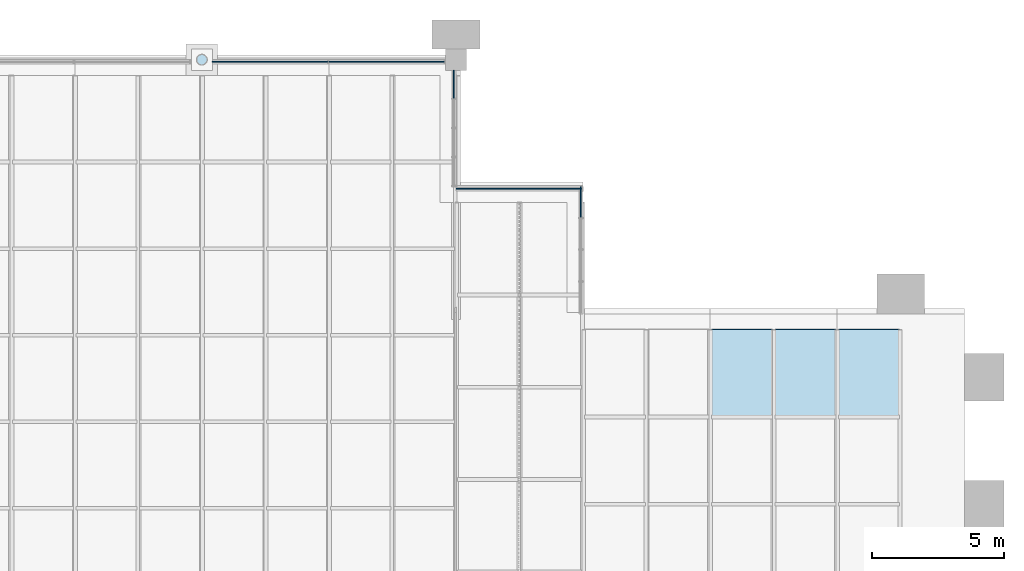
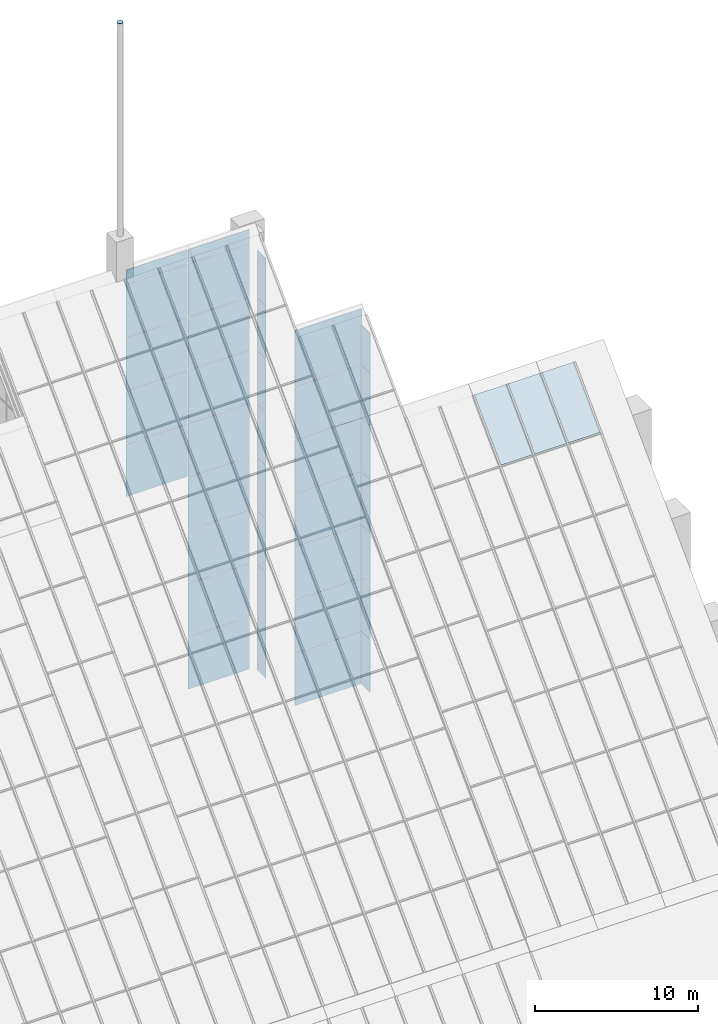
# One storey, part 24 of 25: 40 plates, 39 elements without a shape of their own.
"""IFC4 building model written with IfcOpenShell, lengths in metres."""

from ifc_helpers import new_model, si_unit, direction, frame, origin, origin_2d, place, context, subcontext, project, spatial, polyline, rectangle, outline, extrude, material, layer, layer_set, type_object, element, aggregate, save


model = new_model("IFC4")

# Units and contexts
model_context = context("Model", 3, precision=1e-05, world=origin(), true_north=direction((0.0, 1.0)))
body_context = subcontext(model_context, "Body", "Model", "MODEL_VIEW")
ifc_project = project(units=[si_unit("LENGTHUNIT", "METRE"), si_unit("AREAUNIT", "SQUARE_METRE"), si_unit("VOLUMEUNIT", "CUBIC_METRE"), si_unit("PLANEANGLEUNIT", "RADIAN"), si_unit("MASSUNIT", "GRAM", prefix="KILO")], contexts=[model_context])

# Site, building, storey
site_placement = place(None, origin())
site = spatial("IfcSite", under=ifc_project, at=site_placement, CompositionType="ELEMENT")
building_placement = place(site_placement, origin())
building = spatial("IfcBuilding", under=site, at=building_placement, Name="Baori Bourse Tower", CompositionType="ELEMENT")
storey_placement = place(building_placement, frame((0.0, 0.0, 378.300048828125)))
storey = spatial("IfcBuildingStorey", under=building, at=storey_placement, Name="Roof", CompositionType="ELEMENT", Elevation=378.300048828125)

# Curtain wall, plate
ifc_material_1 = material(Name="Pale anodised aluminium", Category="aluminium")
curtain_wall_type_1 = type_object("IfcCurtainWallType", Name="CW3 Curtain wall", PredefinedType="NOTDEFINED", material=ifc_material_1)
curtain_wall_1_placement = place(storey_placement, origin())
curtain_wall_1 = element("IfcCurtainWall", 1, at=curtain_wall_1_placement, inside=storey, type_object=curtain_wall_type_1, Name="Curtain wall CW3 Roof 20", PredefinedType="NOTDEFINED")
ifc_material_2 = material(Name="Pale anodised aluminium", Category="aluminium")
ifc_layer_1 = layer(ifc_material_2, 0.0400390625)
ifc_layer_set_1 = layer_set([ifc_layer_1], Name="CW3 Curtain wall panel")
plate_type_1 = type_object("IfcPlateType", Name="CW3 Curtain wall panel", PredefinedType="CURTAIN_PANEL", material=ifc_layer_set_1)
plate_1_placement = place(storey_placement, frame((43.1201171875, 42.625, -0.18994140625), z_axis=(0.0, 0.0, 1.0), x_axis=(0.0, 1.0, 0.0)))
plate_1 = element("IfcPlate", 2, at=plate_1_placement, type_object=plate_type_1, Name="Curtain wall CW3 louvre panel", PredefinedType="CURTAIN_PANEL", context=body_context, shape_type="SweptSolid", body=[
    extrude(rectangle(XDim=1.14990234375, YDim=0.0400390625, at=origin_2d()), origin(), (0.0, 0.0, 1.0), 3.93994140625),
])
aggregate(curtain_wall_1, [plate_1])

curtain_wall_2_placement = place(storey_placement, origin())
curtain_wall_2 = element("IfcCurtainWall", 3, at=curtain_wall_2_placement, inside=storey, type_object=curtain_wall_type_1, Name="Curtain wall CW3 Roof 21", PredefinedType="NOTDEFINED")
plate_2_placement = place(storey_placement, frame((43.1201171875, 42.625, 3.81005859375), z_axis=(0.0, 0.0, 1.0), x_axis=(0.0, 1.0, 0.0)))
plate_2 = element("IfcPlate", 4, at=plate_2_placement, type_object=plate_type_1, Name="Curtain wall CW3 louvre panel", PredefinedType="CURTAIN_PANEL", context=body_context, shape_type="SweptSolid", body=[
    extrude(rectangle(XDim=1.14990234375, YDim=0.0400390625, at=origin_2d()), origin(), (0.0, 0.0, 1.0), 3.93994140625),
])
aggregate(curtain_wall_2, [plate_2])

curtain_wall_3_placement = place(storey_placement, origin())
curtain_wall_3 = element("IfcCurtainWall", 5, at=curtain_wall_3_placement, inside=storey, type_object=curtain_wall_type_1, Name="Curtain wall CW3 Roof 22", PredefinedType="NOTDEFINED")
plate_3_placement = place(storey_placement, frame((43.1201171875, 42.625, 7.81005859375), z_axis=(0.0, 0.0, 1.0), x_axis=(0.0, 1.0, 0.0)))
plate_3 = element("IfcPlate", 6, at=plate_3_placement, type_object=plate_type_1, Name="Curtain wall CW3 louvre panel", PredefinedType="CURTAIN_PANEL", context=body_context, shape_type="SweptSolid", body=[
    extrude(rectangle(XDim=1.14990234375, YDim=0.0400390625, at=origin_2d()), origin(), (0.0, 0.0, 1.0), 3.93994140625),
])
aggregate(curtain_wall_3, [plate_3])

curtain_wall_4_placement = place(storey_placement, origin())
curtain_wall_4 = element("IfcCurtainWall", 7, at=curtain_wall_4_placement, inside=storey, type_object=curtain_wall_type_1, Name="Curtain wall CW3 Roof 23", PredefinedType="NOTDEFINED")
plate_4_placement = place(storey_placement, frame((43.1201171875, 42.625, 11.81005859375), z_axis=(0.0, 0.0, 1.0), x_axis=(0.0, 1.0, 0.0)))
plate_4 = element("IfcPlate", 8, at=plate_4_placement, type_object=plate_type_1, Name="Curtain wall CW3 louvre panel", PredefinedType="CURTAIN_PANEL", context=body_context, shape_type="SweptSolid", body=[
    extrude(rectangle(XDim=1.14990234375, YDim=0.0400390625, at=origin_2d()), origin(), (0.0, 0.0, 1.0), 3.93994140625),
])
aggregate(curtain_wall_4, [plate_4])

curtain_wall_5_placement = place(storey_placement, origin())
curtain_wall_5 = element("IfcCurtainWall", 9, at=curtain_wall_5_placement, inside=storey, type_object=curtain_wall_type_1, Name="Curtain wall CW3 Roof 24", PredefinedType="NOTDEFINED")
plate_5_placement = place(storey_placement, frame((43.1201171875, 42.625, 15.81005859375), z_axis=(0.0, 0.0, 1.0), x_axis=(0.0, 1.0, 0.0)))
plate_5 = element("IfcPlate", 10, at=plate_5_placement, type_object=plate_type_1, Name="Curtain wall CW3 louvre panel", PredefinedType="CURTAIN_PANEL", context=body_context, shape_type="SweptSolid", body=[
    extrude(rectangle(XDim=1.14990234375, YDim=0.0400390625, at=origin_2d()), origin(), (0.0, 0.0, 1.0), 3.93994140625),
])
aggregate(curtain_wall_5, [plate_5])

curtain_wall_6_placement = place(storey_placement, origin())
curtain_wall_6 = element("IfcCurtainWall", 11, at=curtain_wall_6_placement, inside=storey, type_object=curtain_wall_type_1, Name="Curtain wall CW3 Roof 25", PredefinedType="NOTDEFINED")
plate_6_placement = place(storey_placement, frame((43.1201171875, 42.625, 19.81005859375), z_axis=(0.0, 0.0, 1.0), x_axis=(0.0, 1.0, 0.0)))
plate_6 = element("IfcPlate", 12, at=plate_6_placement, type_object=plate_type_1, Name="Curtain wall CW3 louvre panel", PredefinedType="CURTAIN_PANEL", context=body_context, shape_type="SweptSolid", body=[
    extrude(rectangle(XDim=1.14990234375, YDim=0.0400390625, at=origin_2d()), origin(), (0.0, 0.0, 1.0), 3.93994140625),
])
aggregate(curtain_wall_6, [plate_6])

curtain_wall_7_placement = place(storey_placement, origin())
curtain_wall_7 = element("IfcCurtainWall", 13, at=curtain_wall_7_placement, inside=storey, type_object=curtain_wall_type_1, Name="Curtain wall CW3 Roof 26", PredefinedType="NOTDEFINED")
plate_7_placement = place(storey_placement, frame((43.1201171875, 42.625, 23.81005859375), z_axis=(0.0, 0.0, 1.0), x_axis=(0.0, 1.0, 0.0)))
plate_7 = element("IfcPlate", 14, at=plate_7_placement, type_object=plate_type_1, Name="Curtain wall CW3 louvre panel", PredefinedType="CURTAIN_PANEL", context=body_context, shape_type="SweptSolid", body=[
    extrude(rectangle(XDim=1.14990234375, YDim=0.0400390625, at=origin_2d()), origin(), (0.0, 0.0, 1.0), 2.945068359375),
])
aggregate(curtain_wall_7, [plate_7])

curtain_wall_8_placement = place(storey_placement, origin())
curtain_wall_8 = element("IfcCurtainWall", 15, at=curtain_wall_8_placement, inside=storey, type_object=curtain_wall_type_1, Name="Curtain wall CW3 Roof 27", PredefinedType="NOTDEFINED")
plate_8_placement = place(storey_placement, frame((40.77490234375, 43.1201171875, -0.18994140625), z_axis=(0.0, 0.0, 1.0), x_axis=(-1.0, 0.0, 0.0)))
plate_8 = element("IfcPlate", 16, at=plate_8_placement, type_object=plate_type_1, Name="Curtain wall CW3 louvre panel", PredefinedType="CURTAIN_PANEL", context=body_context, shape_type="SweptSolid", body=[
    extrude(rectangle(XDim=4.75, YDim=0.0400390625, at=origin_2d()), origin(), (0.0, 0.0, 1.0), 3.93994140625),
])
aggregate(curtain_wall_8, [plate_8])

curtain_wall_9_placement = place(storey_placement, origin())
curtain_wall_9 = element("IfcCurtainWall", 17, at=curtain_wall_9_placement, inside=storey, type_object=curtain_wall_type_1, Name="Curtain wall CW3 Roof 28", PredefinedType="NOTDEFINED")
plate_9_placement = place(storey_placement, frame((40.77490234375, 43.1201171875, 3.81005859375), z_axis=(0.0, 0.0, 1.0), x_axis=(-1.0, 0.0, 0.0)))
plate_9 = element("IfcPlate", 18, at=plate_9_placement, type_object=plate_type_1, Name="Curtain wall CW3 louvre panel", PredefinedType="CURTAIN_PANEL", context=body_context, shape_type="SweptSolid", body=[
    extrude(rectangle(XDim=4.75, YDim=0.0400390625, at=origin_2d()), origin(), (0.0, 0.0, 1.0), 3.93994140625),
])
aggregate(curtain_wall_9, [plate_9])

curtain_wall_10_placement = place(storey_placement, origin())
curtain_wall_10 = element("IfcCurtainWall", 19, at=curtain_wall_10_placement, inside=storey, type_object=curtain_wall_type_1, Name="Curtain wall CW3 Roof 29", PredefinedType="NOTDEFINED")
plate_10_placement = place(storey_placement, frame((40.77490234375, 43.1201171875, 7.81005859375), z_axis=(0.0, 0.0, 1.0), x_axis=(-1.0, 0.0, 0.0)))
plate_10 = element("IfcPlate", 20, at=plate_10_placement, type_object=plate_type_1, Name="Curtain wall CW3 louvre panel", PredefinedType="CURTAIN_PANEL", context=body_context, shape_type="SweptSolid", body=[
    extrude(rectangle(XDim=4.75, YDim=0.0400390625, at=origin_2d()), origin(), (0.0, 0.0, 1.0), 3.93994140625),
])
aggregate(curtain_wall_10, [plate_10])

curtain_wall_11_placement = place(storey_placement, origin())
curtain_wall_11 = element("IfcCurtainWall", 21, at=curtain_wall_11_placement, inside=storey, type_object=curtain_wall_type_1, Name="Curtain wall CW3 Roof 30", PredefinedType="NOTDEFINED")
plate_11_placement = place(storey_placement, frame((40.77490234375, 43.1201171875, 11.81005859375), z_axis=(0.0, 0.0, 1.0), x_axis=(-1.0, 0.0, 0.0)))
plate_11 = element("IfcPlate", 22, at=plate_11_placement, type_object=plate_type_1, Name="Curtain wall CW3 louvre panel", PredefinedType="CURTAIN_PANEL", context=body_context, shape_type="SweptSolid", body=[
    extrude(rectangle(XDim=4.75, YDim=0.0400390625, at=origin_2d()), origin(), (0.0, 0.0, 1.0), 3.93994140625),
])
aggregate(curtain_wall_11, [plate_11])

curtain_wall_12_placement = place(storey_placement, origin())
curtain_wall_12 = element("IfcCurtainWall", 23, at=curtain_wall_12_placement, inside=storey, type_object=curtain_wall_type_1, Name="Curtain wall CW3 Roof 31", PredefinedType="NOTDEFINED")
plate_12_placement = place(storey_placement, frame((40.77490234375, 43.1201171875, 15.81005859375), z_axis=(0.0, 0.0, 1.0), x_axis=(-1.0, 0.0, 0.0)))
plate_12 = element("IfcPlate", 24, at=plate_12_placement, type_object=plate_type_1, Name="Curtain wall CW3 louvre panel", PredefinedType="CURTAIN_PANEL", context=body_context, shape_type="SweptSolid", body=[
    extrude(rectangle(XDim=4.75, YDim=0.0400390625, at=origin_2d()), origin(), (0.0, 0.0, 1.0), 3.93994140625),
])
aggregate(curtain_wall_12, [plate_12])

curtain_wall_13_placement = place(storey_placement, origin())
curtain_wall_13 = element("IfcCurtainWall", 25, at=curtain_wall_13_placement, inside=storey, type_object=curtain_wall_type_1, Name="Curtain wall CW3 Roof 32", PredefinedType="NOTDEFINED")
plate_13_placement = place(storey_placement, frame((40.77490234375, 43.1201171875, 19.81005859375), z_axis=(0.0, 0.0, 1.0), x_axis=(-1.0, 0.0, 0.0)))
plate_13 = element("IfcPlate", 26, at=plate_13_placement, type_object=plate_type_1, Name="Curtain wall CW3 louvre panel", PredefinedType="CURTAIN_PANEL", context=body_context, shape_type="SweptSolid", body=[
    extrude(rectangle(XDim=4.75, YDim=0.0400390625, at=origin_2d()), origin(), (0.0, 0.0, 1.0), 3.93994140625),
])
aggregate(curtain_wall_13, [plate_13])

curtain_wall_14_placement = place(storey_placement, origin())
curtain_wall_14 = element("IfcCurtainWall", 27, at=curtain_wall_14_placement, inside=storey, type_object=curtain_wall_type_1, Name="Curtain wall CW3 Roof 33", PredefinedType="NOTDEFINED")
plate_14_placement = place(storey_placement, frame((40.77490234375, 43.1201171875, 23.81005859375), z_axis=(0.0, 0.0, 1.0), x_axis=(-1.0, 0.0, 0.0)))
plate_14 = element("IfcPlate", 28, at=plate_14_placement, type_object=plate_type_1, Name="Curtain wall CW3 louvre panel", PredefinedType="CURTAIN_PANEL", context=body_context, shape_type="SweptSolid", body=[
    extrude(rectangle(XDim=4.75, YDim=0.0400390625, at=origin_2d()), origin(), (0.0, 0.0, 1.0), 4.159912109375),
])
aggregate(curtain_wall_14, [plate_14])

curtain_wall_15_placement = place(storey_placement, origin())
curtain_wall_15 = element("IfcCurtainWall", 29, at=curtain_wall_15_placement, inside=storey, type_object=curtain_wall_type_1, Name="Curtain wall CW3 Roof 57", PredefinedType="NOTDEFINED")
plate_15_placement = place(storey_placement, frame((38.320068359375, 47.074951171875, -0.18994140625), z_axis=(0.0, 0.0, 1.0), x_axis=(0.0, 1.0, 0.0)))
plate_15 = element("IfcPlate", 30, at=plate_15_placement, type_object=plate_type_1, Name="Curtain wall CW3 louvre panel", PredefinedType="CURTAIN_PANEL", context=body_context, shape_type="SweptSolid", body=[
    extrude(rectangle(XDim=1.050048828125, YDim=0.0400390625, at=origin_2d()), origin(), (0.0, 0.0, 1.0), 3.93994140625),
])
aggregate(curtain_wall_15, [plate_15])

curtain_wall_16_placement = place(storey_placement, origin())
curtain_wall_16 = element("IfcCurtainWall", 31, at=curtain_wall_16_placement, inside=storey, type_object=curtain_wall_type_1, Name="Curtain wall CW3 Roof 58", PredefinedType="NOTDEFINED")
plate_16_placement = place(storey_placement, frame((38.320068359375, 47.074951171875, 3.81005859375), z_axis=(0.0, 0.0, 1.0), x_axis=(0.0, 1.0, 0.0)))
plate_16 = element("IfcPlate", 32, at=plate_16_placement, type_object=plate_type_1, Name="Curtain wall CW3 louvre panel", PredefinedType="CURTAIN_PANEL", context=body_context, shape_type="SweptSolid", body=[
    extrude(rectangle(XDim=1.050048828125, YDim=0.0400390625, at=origin_2d()), origin(), (0.0, 0.0, 1.0), 3.93994140625),
])
aggregate(curtain_wall_16, [plate_16])

curtain_wall_17_placement = place(storey_placement, origin())
curtain_wall_17 = element("IfcCurtainWall", 33, at=curtain_wall_17_placement, inside=storey, type_object=curtain_wall_type_1, Name="Curtain wall CW3 Roof 59", PredefinedType="NOTDEFINED")
plate_17_placement = place(storey_placement, frame((38.320068359375, 47.074951171875, 7.81005859375), z_axis=(0.0, 0.0, 1.0), x_axis=(0.0, 1.0, 0.0)))
plate_17 = element("IfcPlate", 34, at=plate_17_placement, type_object=plate_type_1, Name="Curtain wall CW3 louvre panel", PredefinedType="CURTAIN_PANEL", context=body_context, shape_type="SweptSolid", body=[
    extrude(rectangle(XDim=1.050048828125, YDim=0.0400390625, at=origin_2d()), origin(), (0.0, 0.0, 1.0), 3.93994140625),
])
aggregate(curtain_wall_17, [plate_17])

curtain_wall_18_placement = place(storey_placement, origin())
curtain_wall_18 = element("IfcCurtainWall", 35, at=curtain_wall_18_placement, inside=storey, type_object=curtain_wall_type_1, Name="Curtain wall CW3 Roof 60", PredefinedType="NOTDEFINED")
plate_18_placement = place(storey_placement, frame((38.320068359375, 47.074951171875, 11.81005859375), z_axis=(0.0, 0.0, 1.0), x_axis=(0.0, 1.0, 0.0)))
plate_18 = element("IfcPlate", 36, at=plate_18_placement, type_object=plate_type_1, Name="Curtain wall CW3 louvre panel", PredefinedType="CURTAIN_PANEL", context=body_context, shape_type="SweptSolid", body=[
    extrude(rectangle(XDim=1.050048828125, YDim=0.0400390625, at=origin_2d()), origin(), (0.0, 0.0, 1.0), 3.93994140625),
])
aggregate(curtain_wall_18, [plate_18])

curtain_wall_19_placement = place(storey_placement, origin())
curtain_wall_19 = element("IfcCurtainWall", 37, at=curtain_wall_19_placement, inside=storey, type_object=curtain_wall_type_1, Name="Curtain wall CW3 Roof 61", PredefinedType="NOTDEFINED")
plate_19_placement = place(storey_placement, frame((38.320068359375, 47.074951171875, 15.81005859375), z_axis=(0.0, 0.0, 1.0), x_axis=(0.0, 1.0, 0.0)))
plate_19 = element("IfcPlate", 38, at=plate_19_placement, type_object=plate_type_1, Name="Curtain wall CW3 louvre panel", PredefinedType="CURTAIN_PANEL", context=body_context, shape_type="SweptSolid", body=[
    extrude(rectangle(XDim=1.050048828125, YDim=0.0400390625, at=origin_2d()), origin(), (0.0, 0.0, 1.0), 3.93994140625),
])
aggregate(curtain_wall_19, [plate_19])

curtain_wall_20_placement = place(storey_placement, origin())
curtain_wall_20 = element("IfcCurtainWall", 39, at=curtain_wall_20_placement, inside=storey, type_object=curtain_wall_type_1, Name="Curtain wall CW3 Roof 62", PredefinedType="NOTDEFINED")
plate_20_placement = place(storey_placement, frame((38.320068359375, 47.074951171875, 19.81005859375), z_axis=(0.0, 0.0, 1.0), x_axis=(0.0, 1.0, 0.0)))
plate_20 = element("IfcPlate", 40, at=plate_20_placement, type_object=plate_type_1, Name="Curtain wall CW3 louvre panel", PredefinedType="CURTAIN_PANEL", context=body_context, shape_type="SweptSolid", body=[
    extrude(rectangle(XDim=1.050048828125, YDim=0.0400390625, at=origin_2d()), origin(), (0.0, 0.0, 1.0), 3.93994140625),
])
aggregate(curtain_wall_20, [plate_20])

curtain_wall_21_placement = place(storey_placement, origin())
curtain_wall_21 = element("IfcCurtainWall", 41, at=curtain_wall_21_placement, inside=storey, type_object=curtain_wall_type_1, Name="Curtain wall CW3 Roof 63", PredefinedType="NOTDEFINED")
plate_21_placement = place(storey_placement, frame((38.320068359375, 47.074951171875, 23.81005859375), z_axis=(0.0, 0.0, 1.0), x_axis=(0.0, 1.0, 0.0)))
plate_21 = element("IfcPlate", 42, at=plate_21_placement, type_object=plate_type_1, Name="Curtain wall CW3 louvre panel", PredefinedType="CURTAIN_PANEL", context=body_context, shape_type="SweptSolid", body=[
    extrude(rectangle(XDim=1.050048828125, YDim=0.0400390625, at=origin_2d()), origin(), (0.0, 0.0, 1.0), 3.93994140625),
])
aggregate(curtain_wall_21, [plate_21])

curtain_wall_22_placement = place(storey_placement, origin())
curtain_wall_22 = element("IfcCurtainWall", 43, at=curtain_wall_22_placement, inside=storey, type_object=curtain_wall_type_1, Name="Curtain wall CW3 Roof 64", PredefinedType="NOTDEFINED")
plate_22_placement = place(storey_placement, frame((38.320068359375, 47.074951171875, 27.81005859375), z_axis=(0.0, 0.0, 1.0), x_axis=(0.0, 1.0, 0.0)))
plate_22 = element("IfcPlate", 44, at=plate_22_placement, type_object=plate_type_1, Name="Curtain wall CW3 louvre panel", PredefinedType="CURTAIN_PANEL", context=body_context, shape_type="SweptSolid", body=[
    extrude(rectangle(XDim=1.050048828125, YDim=0.0400390625, at=origin_2d()), origin(), (0.0, 0.0, 1.0), 3.501220703125),
])
aggregate(curtain_wall_22, [plate_22])

curtain_wall_23_placement = place(storey_placement, origin())
curtain_wall_23 = element("IfcCurtainWall", 45, at=curtain_wall_23_placement, inside=storey, type_object=curtain_wall_type_1, Name="Curtain wall CW3 Roof 65", PredefinedType="NOTDEFINED")
plate_23_placement = place(storey_placement, frame((35.77490234375, 47.919921875, -0.18994140625), z_axis=(0.0, 0.0, 1.0), x_axis=(-1.0, 0.0, 0.0)))
plate_23 = element("IfcPlate", 46, at=plate_23_placement, type_object=plate_type_1, Name="Curtain wall CW3 louvre panel", PredefinedType="CURTAIN_PANEL", context=body_context, shape_type="SweptSolid", body=[
    extrude(rectangle(XDim=4.35009765625, YDim=0.0400390625, at=origin_2d()), origin(), (0.0, 0.0, 1.0), 3.93994140625),
])
aggregate(curtain_wall_23, [plate_23])

curtain_wall_24_placement = place(storey_placement, origin())
curtain_wall_24 = element("IfcCurtainWall", 47, at=curtain_wall_24_placement, inside=storey, type_object=curtain_wall_type_1, Name="Curtain wall CW3 Roof 66", PredefinedType="NOTDEFINED")
plate_24_placement = place(storey_placement, frame((35.77490234375, 47.919921875, 3.81005859375), z_axis=(0.0, 0.0, 1.0), x_axis=(-1.0, 0.0, 0.0)))
plate_24 = element("IfcPlate", 48, at=plate_24_placement, type_object=plate_type_1, Name="Curtain wall CW3 louvre panel", PredefinedType="CURTAIN_PANEL", context=body_context, shape_type="SweptSolid", body=[
    extrude(rectangle(XDim=4.35009765625, YDim=0.0400390625, at=origin_2d()), origin(), (0.0, 0.0, 1.0), 3.93994140625),
])
aggregate(curtain_wall_24, [plate_24])

curtain_wall_25_placement = place(storey_placement, origin())
curtain_wall_25 = element("IfcCurtainWall", 49, at=curtain_wall_25_placement, inside=storey, type_object=curtain_wall_type_1, Name="Curtain wall CW3 Roof 67", PredefinedType="NOTDEFINED")
plate_25_placement = place(storey_placement, frame((35.77490234375, 47.919921875, 7.81005859375), z_axis=(0.0, 0.0, 1.0), x_axis=(-1.0, 0.0, 0.0)))
plate_25 = element("IfcPlate", 50, at=plate_25_placement, type_object=plate_type_1, Name="Curtain wall CW3 louvre panel", PredefinedType="CURTAIN_PANEL", context=body_context, shape_type="SweptSolid", body=[
    extrude(rectangle(XDim=4.35009765625, YDim=0.0400390625, at=origin_2d()), origin(), (0.0, 0.0, 1.0), 3.93994140625),
])
aggregate(curtain_wall_25, [plate_25])

curtain_wall_26_placement = place(storey_placement, origin())
curtain_wall_26 = element("IfcCurtainWall", 51, at=curtain_wall_26_placement, inside=storey, type_object=curtain_wall_type_1, Name="Curtain wall CW3 Roof 68", PredefinedType="NOTDEFINED")
plate_26_placement = place(storey_placement, frame((35.77490234375, 47.919921875, 11.81005859375), z_axis=(0.0, 0.0, 1.0), x_axis=(-1.0, 0.0, 0.0)))
plate_26 = element("IfcPlate", 52, at=plate_26_placement, type_object=plate_type_1, Name="Curtain wall CW3 louvre panel", PredefinedType="CURTAIN_PANEL", context=body_context, shape_type="SweptSolid", body=[
    extrude(rectangle(XDim=4.35009765625, YDim=0.0400390625, at=origin_2d()), origin(), (0.0, 0.0, 1.0), 3.93994140625),
])
aggregate(curtain_wall_26, [plate_26])

curtain_wall_27_placement = place(storey_placement, origin())
curtain_wall_27 = element("IfcCurtainWall", 53, at=curtain_wall_27_placement, inside=storey, type_object=curtain_wall_type_1, Name="Curtain wall CW3 Roof 69", PredefinedType="NOTDEFINED")
plate_27_placement = place(storey_placement, frame((35.77490234375, 47.919921875, 15.81005859375), z_axis=(0.0, 0.0, 1.0), x_axis=(-1.0, 0.0, 0.0)))
plate_27 = element("IfcPlate", 54, at=plate_27_placement, type_object=plate_type_1, Name="Curtain wall CW3 louvre panel", PredefinedType="CURTAIN_PANEL", context=body_context, shape_type="SweptSolid", body=[
    extrude(rectangle(XDim=4.35009765625, YDim=0.0400390625, at=origin_2d()), origin(), (0.0, 0.0, 1.0), 3.93994140625),
])
aggregate(curtain_wall_27, [plate_27])

curtain_wall_28_placement = place(storey_placement, origin())
curtain_wall_28 = element("IfcCurtainWall", 55, at=curtain_wall_28_placement, inside=storey, type_object=curtain_wall_type_1, Name="Curtain wall CW3 Roof 70", PredefinedType="NOTDEFINED")
plate_28_placement = place(storey_placement, frame((35.77490234375, 47.919921875, 19.81005859375), z_axis=(0.0, 0.0, 1.0), x_axis=(-1.0, 0.0, 0.0)))
plate_28 = element("IfcPlate", 56, at=plate_28_placement, type_object=plate_type_1, Name="Curtain wall CW3 louvre panel", PredefinedType="CURTAIN_PANEL", context=body_context, shape_type="SweptSolid", body=[
    extrude(rectangle(XDim=4.35009765625, YDim=0.0400390625, at=origin_2d()), origin(), (0.0, 0.0, 1.0), 3.93994140625),
])
aggregate(curtain_wall_28, [plate_28])

curtain_wall_29_placement = place(storey_placement, origin())
curtain_wall_29 = element("IfcCurtainWall", 57, at=curtain_wall_29_placement, inside=storey, type_object=curtain_wall_type_1, Name="Curtain wall CW3 Roof 71", PredefinedType="NOTDEFINED")
plate_29_placement = place(storey_placement, frame((35.77490234375, 47.919921875, 23.81005859375), z_axis=(0.0, 0.0, 1.0), x_axis=(-1.0, 0.0, 0.0)))
plate_29 = element("IfcPlate", 58, at=plate_29_placement, type_object=plate_type_1, Name="Curtain wall CW3 louvre panel", PredefinedType="CURTAIN_PANEL", context=body_context, shape_type="SweptSolid", body=[
    extrude(rectangle(XDim=4.35009765625, YDim=0.0400390625, at=origin_2d()), origin(), (0.0, 0.0, 1.0), 3.93994140625),
])
aggregate(curtain_wall_29, [plate_29])

curtain_wall_30_placement = place(storey_placement, origin())
curtain_wall_30 = element("IfcCurtainWall", 59, at=curtain_wall_30_placement, inside=storey, type_object=curtain_wall_type_1, Name="Curtain wall CW3 Roof 72", PredefinedType="NOTDEFINED")
plate_30_placement = place(storey_placement, frame((35.77490234375, 47.919921875, 27.81005859375), z_axis=(0.0, 0.0, 1.0), x_axis=(-1.0, 0.0, 0.0)))
plate_30 = element("IfcPlate", 60, at=plate_30_placement, type_object=plate_type_1, Name="Curtain wall CW3 louvre panel", PredefinedType="CURTAIN_PANEL", context=body_context, shape_type="SweptSolid", body=[
    extrude(rectangle(XDim=4.35009765625, YDim=0.0400390625, at=origin_2d()), origin(), (0.0, 0.0, 1.0), 3.93994140625),
])
aggregate(curtain_wall_30, [plate_30])

curtain_wall_31_placement = place(storey_placement, origin())
curtain_wall_31 = element("IfcCurtainWall", 61, at=curtain_wall_31_placement, inside=storey, type_object=curtain_wall_type_1, Name="Curtain wall CW3 Roof 73", PredefinedType="NOTDEFINED")
plate_31_placement = place(storey_placement, frame((35.77490234375, 47.919921875, 31.81005859375), z_axis=(0.0, 0.0, 1.0), x_axis=(-1.0, 0.0, 0.0)))
plate_31 = element("IfcPlate", 62, at=plate_31_placement, type_object=plate_type_1, Name="Curtain wall CW3 louvre panel", PredefinedType="CURTAIN_PANEL", context=body_context, shape_type="SweptSolid", body=[
    extrude(rectangle(XDim=4.35009765625, YDim=0.0400390625, at=origin_2d()), origin(), (0.0, 0.0, 1.0), 1.02001953125),
])
aggregate(curtain_wall_31, [plate_31])

curtain_wall_32_placement = place(storey_placement, origin())
curtain_wall_32 = element("IfcCurtainWall", 63, at=curtain_wall_32_placement, inside=storey, type_object=curtain_wall_type_1, Name="Curtain wall CW3 Roof 78", PredefinedType="NOTDEFINED")
plate_32_placement = place(storey_placement, frame((31.375, 47.919921875, 15.81005859375), z_axis=(0.0, 0.0, 1.0), x_axis=(-1.0, 0.0, 0.0)))
plate_32 = element("IfcPlate", 64, at=plate_32_placement, type_object=plate_type_1, Name="Curtain wall CW3 louvre panel", PredefinedType="CURTAIN_PANEL", context=body_context, shape_type="SweptSolid", body=[
    extrude(rectangle(XDim=4.35009765625, YDim=0.0400390625, at=origin_2d()), origin(), (0.0, 0.0, 1.0), 3.93994140625),
])
aggregate(curtain_wall_32, [plate_32])

curtain_wall_33_placement = place(storey_placement, origin())
curtain_wall_33 = element("IfcCurtainWall", 65, at=curtain_wall_33_placement, inside=storey, type_object=curtain_wall_type_1, Name="Curtain wall CW3 Roof 79", PredefinedType="NOTDEFINED")
plate_33_placement = place(storey_placement, frame((31.375, 47.919921875, 19.81005859375), z_axis=(0.0, 0.0, 1.0), x_axis=(-1.0, 0.0, 0.0)))
plate_33 = element("IfcPlate", 66, at=plate_33_placement, type_object=plate_type_1, Name="Curtain wall CW3 louvre panel", PredefinedType="CURTAIN_PANEL", context=body_context, shape_type="SweptSolid", body=[
    extrude(rectangle(XDim=4.35009765625, YDim=0.0400390625, at=origin_2d()), origin(), (0.0, 0.0, 1.0), 3.93994140625),
])
aggregate(curtain_wall_33, [plate_33])

curtain_wall_34_placement = place(storey_placement, origin())
curtain_wall_34 = element("IfcCurtainWall", 67, at=curtain_wall_34_placement, inside=storey, type_object=curtain_wall_type_1, Name="Curtain wall CW3 Roof 80", PredefinedType="NOTDEFINED")
plate_34_placement = place(storey_placement, frame((31.375, 47.919921875, 23.81005859375), z_axis=(0.0, 0.0, 1.0), x_axis=(-1.0, 0.0, 0.0)))
plate_34 = element("IfcPlate", 68, at=plate_34_placement, type_object=plate_type_1, Name="Curtain wall CW3 louvre panel", PredefinedType="CURTAIN_PANEL", context=body_context, shape_type="SweptSolid", body=[
    extrude(rectangle(XDim=4.35009765625, YDim=0.0400390625, at=origin_2d()), origin(), (0.0, 0.0, 1.0), 3.93994140625),
])
aggregate(curtain_wall_34, [plate_34])

curtain_wall_35_placement = place(storey_placement, origin())
curtain_wall_35 = element("IfcCurtainWall", 69, at=curtain_wall_35_placement, inside=storey, type_object=curtain_wall_type_1, Name="Curtain wall CW3 Roof 81", PredefinedType="NOTDEFINED")
plate_35_placement = place(storey_placement, frame((31.375, 47.919921875, 27.81005859375), z_axis=(0.0, 0.0, 1.0), x_axis=(-1.0, 0.0, 0.0)))
plate_35 = element("IfcPlate", 70, at=plate_35_placement, type_object=plate_type_1, Name="Curtain wall CW3 louvre panel", PredefinedType="CURTAIN_PANEL", context=body_context, shape_type="SweptSolid", body=[
    extrude(rectangle(XDim=4.35009765625, YDim=0.0400390625, at=origin_2d()), origin(), (0.0, 0.0, 1.0), 3.93994140625),
])
aggregate(curtain_wall_35, [plate_35])

curtain_wall_36_placement = place(storey_placement, origin())
curtain_wall_36 = element("IfcCurtainWall", 71, at=curtain_wall_36_placement, inside=storey, type_object=curtain_wall_type_1, Name="Curtain wall CW3 Roof 82", PredefinedType="NOTDEFINED")
plate_36_placement = place(storey_placement, frame((31.375, 47.919921875, 31.81005859375), z_axis=(0.0, 0.0, 1.0), x_axis=(-1.0, 0.0, 0.0)))
plate_36 = element("IfcPlate", 72, at=plate_36_placement, type_object=plate_type_1, Name="Curtain wall CW3 louvre panel", PredefinedType="CURTAIN_PANEL", context=body_context, shape_type="SweptSolid", body=[
    extrude(rectangle(XDim=4.35009765625, YDim=0.0400390625, at=origin_2d()), origin(), (0.0, 0.0, 1.0), 1.02001953125),
])
aggregate(curtain_wall_36, [plate_36])

ifc_material_3 = material(Name="Pale anodised aluminium", Category="aluminium")
curtain_wall_type_2 = type_object("IfcCurtainWallType", Name="CW4 Curtain wall", PredefinedType="NOTDEFINED", material=ifc_material_3)
curtain_wall_37_placement = place(storey_placement, origin())
curtain_wall_37 = element("IfcCurtainWall", 73, at=curtain_wall_37_placement, inside=storey, type_object=curtain_wall_type_2, Name="Curtain wall CW4 roof glazing 30", PredefinedType="NOTDEFINED")
ifc_material_4 = material(Name="Clear glass", Category="glass")
ifc_layer_2 = layer(ifc_material_4, 0.02587890625)
ifc_layer_set_2 = layer_set([ifc_layer_2], Name="CW4 Curtain wall panel")
plate_type_2 = type_object("IfcPlateType", Name="CW4 Curtain wall panel", PredefinedType="CURTAIN_PANEL", material=ifc_layer_set_2)
plate_37_placement = place(storey_placement, frame((48.050048828125, 34.53076171875, 19.666015625), z_axis=(0.0, -0.71144906925, 0.702737662192), x_axis=(1.0, 0.0, 0.0)))
plate_37 = element("IfcPlate", 74, at=plate_37_placement, type_object=plate_type_2, Name="Curtain wall CW4 roof glass 30.7", PredefinedType="CURTAIN_PANEL", context=body_context, shape_type="SweptSolid", body=[
    extrude(outline(polyline([(0.0, 0.0), (2.300048828125, 0.0), (2.300048828125, 4.652215592343145), (0.0, 4.652215592343145), (0.0, 0.0)])), origin(), (0.0, 0.0, -1.0), 0.02587890625),
])
aggregate(curtain_wall_37, [plate_37])

curtain_wall_38_placement = place(storey_placement, origin())
curtain_wall_38 = element("IfcCurtainWall", 75, at=curtain_wall_38_placement, inside=storey, type_object=curtain_wall_type_2, Name="Curtain wall CW4 roof glazing 31", PredefinedType="NOTDEFINED")
plate_38_placement = place(storey_placement, frame((50.449951171875, 34.53076171875, 19.666015625), z_axis=(0.0, -0.71144906925, 0.702737662192), x_axis=(1.0, 0.0, 0.0)))
plate_38 = element("IfcPlate", 76, at=plate_38_placement, type_object=plate_type_2, Name="Curtain wall CW4 roof glass 31.7", PredefinedType="CURTAIN_PANEL", context=body_context, shape_type="SweptSolid", body=[
    extrude(outline(polyline([(0.0, 0.0), (2.300048828125, 0.0), (2.300048828125, 4.652215592343145), (0.0, 4.652215592343145), (0.0, 0.0)])), origin(), (0.0, 0.0, -1.0), 0.02587890625),
])
aggregate(curtain_wall_38, [plate_38])

curtain_wall_39_placement = place(storey_placement, origin())
curtain_wall_39 = element("IfcCurtainWall", 77, at=curtain_wall_39_placement, inside=storey, type_object=curtain_wall_type_2, Name="Curtain wall CW4 roof glazing 32", PredefinedType="NOTDEFINED")
plate_39_placement = place(storey_placement, frame((52.85009765625, 34.53076171875, 19.666015625), z_axis=(0.0, -0.71144906925, 0.702737662192), x_axis=(1.0, 0.0, 0.0)))
plate_39 = element("IfcPlate", 78, at=plate_39_placement, type_object=plate_type_2, Name="Curtain wall CW4 roof glass 32.7", PredefinedType="CURTAIN_PANEL", context=body_context, shape_type="SweptSolid", body=[
    extrude(outline(polyline([(0.0, 0.0), (2.2998046875, 0.0), (2.2998046875, 4.652215592343145), (0.0, 4.652215592343145), (0.0, 0.0)])), origin(), (0.0, 0.0, -1.0), 0.02587890625),
])
aggregate(curtain_wall_39, [plate_39])

# Plate
ifc_material_5 = material(Name="Steel A572 Gr 50", Category="steel")
ifc_layer_3 = layer(ifc_material_5, 0.02001953125)
ifc_layer_set_3 = layer_set([ifc_layer_3], Name="Mast cap plate 20")
plate_type_3 = type_object("IfcPlateType", Name="Mast cap plate 20", PredefinedType="SHEET", material=ifc_layer_set_3)
plate_40_placement = place(storey_placement, frame((0.0, 0.0, 51.521728515625)))
element("IfcPlate", 79, at=plate_40_placement, inside=storey, type_object=plate_type_3, Name="Mast cap plate", PredefinedType="SHEET", context=body_context, shape_type="SweptSolid", body=[
    extrude(outline(polyline([(29.0, 48.0), (28.9931640625, 48.0517578125), (28.97314453125, 48.10009765625), (28.94140625, 48.141357421875), (28.89990234375, 48.173095703125), (28.851806640625, 48.193115234375), (28.800048828125, 48.199951171875), (28.748291015625, 48.193115234375), (28.699951171875, 48.173095703125), (28.65869140625, 48.141357421875), (28.626708984375, 48.10009765625), (28.60693359375, 48.0517578125), (28.60009765625, 48.0), (28.60693359375, 47.9482421875), (28.626708984375, 47.89990234375), (28.65869140625, 47.858642578125), (28.699951171875, 47.826904296875), (28.748291015625, 47.806884765625), (28.800048828125, 47.800048828125), (28.851806640625, 47.806884765625), (28.89990234375, 47.826904296875), (28.94140625, 47.858642578125), (28.97314453125, 47.89990234375), (28.9931640625, 47.9482421875), (29.0, 48.0)])), origin(), (0.0, 0.0, 1.0), 0.02001953125),
])

save(model, "model.ifc")
